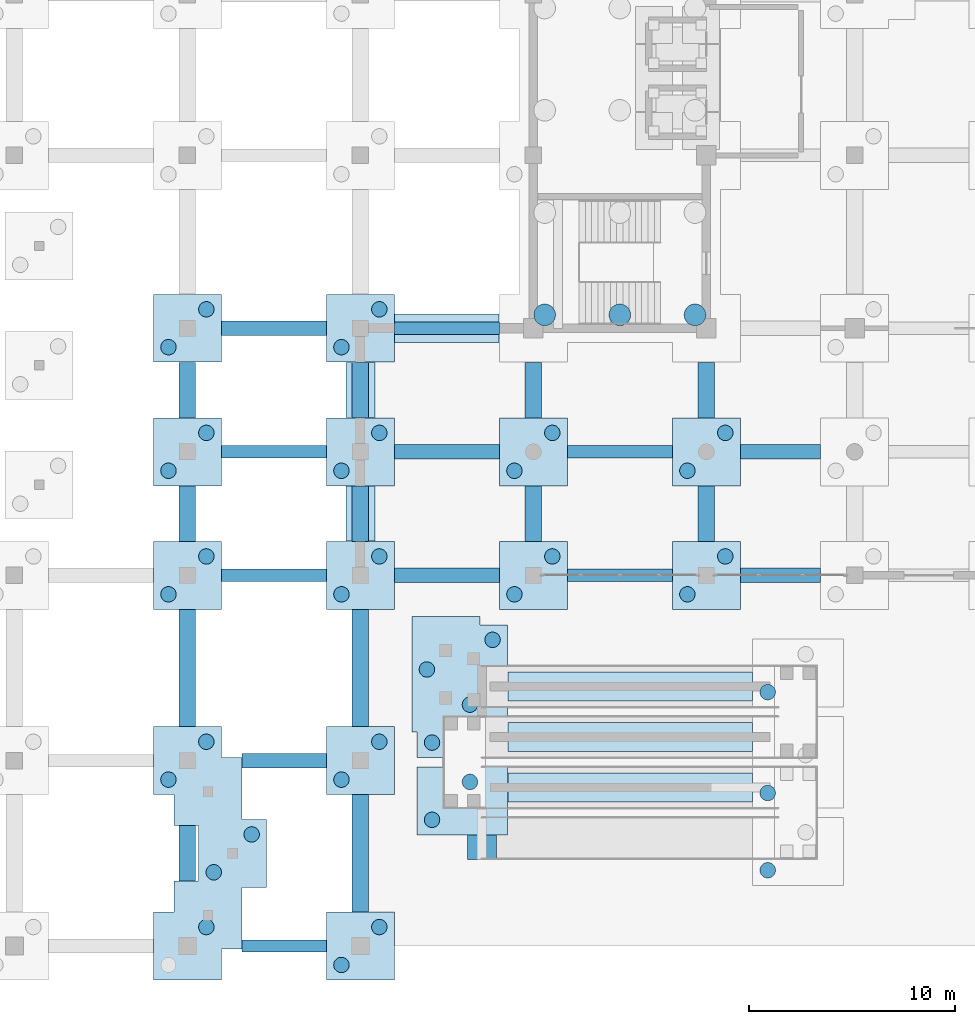
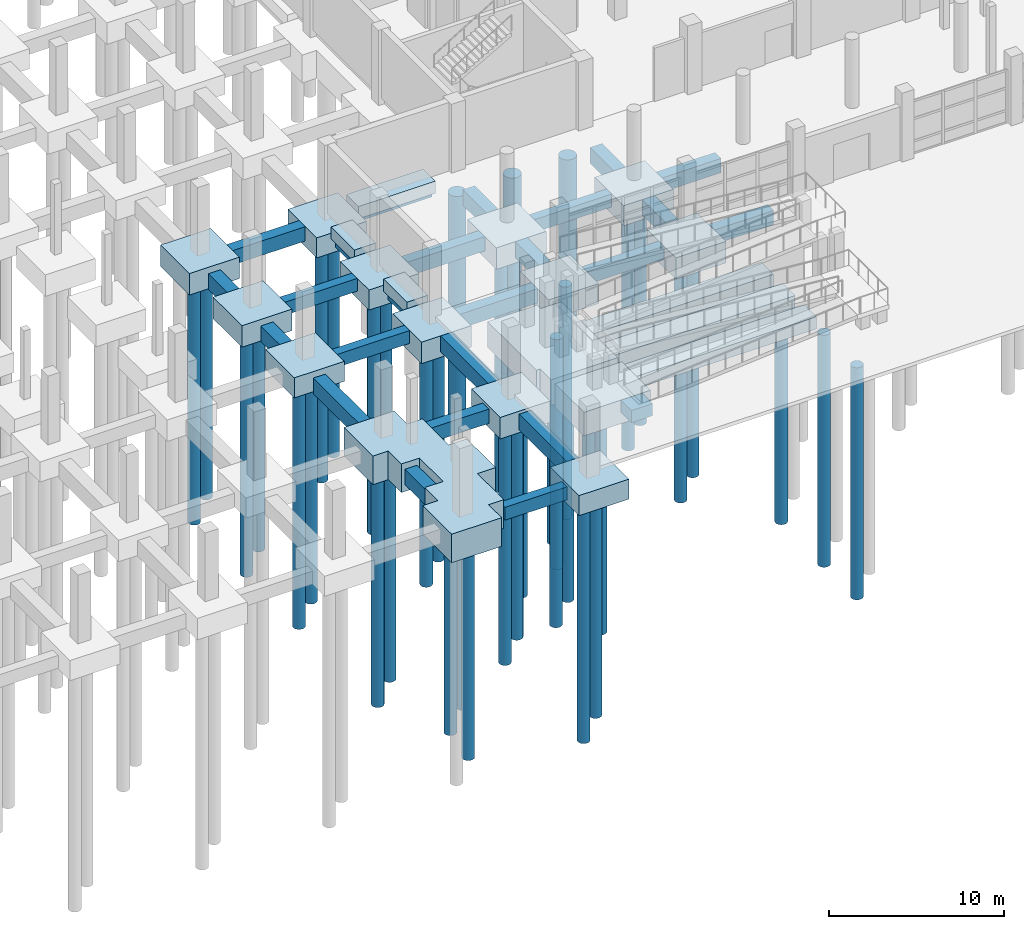
# One storey, part 2 of 42: 46 footings, 41 piles.
"""IFC4 building model written with IfcOpenShell, lengths in metres."""

from ifc_helpers import new_model, si_unit, direction, frame, origin, origin_2d, place, context, subcontext, project, spatial, polyline, rectangle, circle, outline, extrude, material, layer, layer_set, material_profile, profile_set, type_object, element, save


model = new_model("IFC4")

# Units and contexts
model_context = context("Model", 3, precision=1e-05, world=origin(), true_north=direction((0.0, 1.0)))
body_context = subcontext(model_context, "Body", "Model", "MODEL_VIEW")
ifc_project = project(units=[si_unit("LENGTHUNIT", "METRE"), si_unit("AREAUNIT", "SQUARE_METRE"), si_unit("VOLUMEUNIT", "CUBIC_METRE"), si_unit("PLANEANGLEUNIT", "RADIAN"), si_unit("MASSUNIT", "GRAM", prefix="KILO")], contexts=[model_context])

# Site, building, storey
site_placement = place(None, origin())
site = spatial("IfcSite", under=ifc_project, at=site_placement, CompositionType="ELEMENT")
building_placement = place(site_placement, origin())
building = spatial("IfcBuilding", under=site, at=building_placement, Name="Pellamere Symphony Hall", CompositionType="ELEMENT")
storey_placement = place(building_placement, frame((0.0, 0.0, -4.800048828125)))
storey = spatial("IfcBuildingStorey", under=building, at=storey_placement, Name="B1", CompositionType="ELEMENT", Elevation=-4.800048828125)

# Piles
ifc_material_1 = material(Name="Concrete 40 MPa", Category="concrete")
ifc_material_profile_1 = material_profile(ifc_material_1, circle(Radius=0.52490234375, at=origin_2d()), Name="PILE D1050")
ifc_profile_set_1 = profile_set([ifc_material_profile_1], Name="Concrete 40 MPa")
pile_type_1 = type_object("IfcPileType", Name="Bored Pile 1050mm Concrete 40 MPa", PredefinedType="BORED", material=ifc_profile_set_1)
for number, where, z_axis, x_axis, name in (
    (1, (50.949951171875, 30.64990234375, -2.300048828125), (0.0, 0.0, -1.0), (1.0, 0.0, 0.0), "Bored Pile BP-1050-P159"),
    (2, (54.60009765625, 30.64990234375, -2.300048828125), (0.0, 0.0, -1.0), (1.0, 0.0, 0.0), "Bored Pile BP-1050-P163"),
    (3, (58.25, 30.64990234375, -2.300048828125), (0.0, 0.0, -1.0), (1.0, 0.0, 0.0), "Bored Pile BP-1050-P167"),
):
    element("IfcPile", number, at=place(storey_placement, frame(where, z_axis=z_axis, x_axis=x_axis)), inside=storey, type_object=pile_type_1, Name=name, PredefinedType="BORED", context=body_context, shape_type="SweptSolid", body=[
        extrude(circle(Radius=0.52490234375, at=origin_2d()), origin(), (0.0, 0.0, 1.0), 15.699951171875),
    ])
ifc_material_2 = material(Name="Concrete 35 MPa", Category="concrete")
ifc_material_profile_2 = material_profile(ifc_material_2, circle(Radius=0.375, at=origin_2d()), Name="PILE D750")
ifc_profile_set_2 = profile_set([ifc_material_profile_2], Name="Concrete 35 MPa")
pile_type_2 = type_object("IfcPileType", Name="Bored Pile 750mm Concrete 35 MPa", PredefinedType="BORED", material=ifc_profile_set_2)
for number, where, z_axis, x_axis, name in (
    (4, (34.52001953125, 0.919921875, -1.89990234375), (0.0, 0.0, -1.0), (1.0, 0.0, 0.0), "Bored Pile BP-750-P010"),
    (5, (32.679931640625, 8.080078125, -1.89990234375), (0.0, 0.0, -1.0), (1.0, 0.0, 0.0), "Bored Pile BP-750-P011"),
    (6, (34.52001953125, 9.919921875, -1.89990234375), (0.0, 0.0, -1.0), (1.0, 0.0, 0.0), "Bored Pile BP-750-P012"),
    (7, (34.8798828125, 3.580078125, -1.89990234375), (0.0, 0.0, -1.0), (1.0, 0.0, 0.0), "Bored Pile BP-750-P013"),
    (8, (36.719970703125, 5.419921875, -1.89990234375), (0.0, 0.0, -1.0), (1.0, 0.0, 0.0), "Bored Pile BP-750-P014"),
):
    element("IfcPile", number, at=place(storey_placement, frame(where, z_axis=z_axis, x_axis=x_axis)), inside=storey, type_object=pile_type_2, Name=name, PredefinedType="BORED", context=body_context, shape_type="SweptSolid", body=[
        extrude(circle(Radius=0.375, at=origin_2d()), origin(), (0.0, 0.0, 1.0), 16.10009765625),
    ])
for number, where, z_axis, x_axis, name in (
    (9, (41.080078125, -0.919921875, -1.550048828125), (0.0, 0.0, -1.0), (1.0, 0.0, 0.0), "Bored Pile BP-750-P015"),
    (10, (42.919921875, 0.919921875, -1.550048828125), (0.0, 0.0, -1.0), (1.0, 0.0, 0.0), "Bored Pile BP-750-P016"),
):
    element("IfcPile", number, at=place(storey_placement, frame(where, z_axis=z_axis, x_axis=x_axis)), inside=storey, type_object=pile_type_2, Name=name, PredefinedType="BORED", context=body_context, shape_type="SweptSolid", body=[
        extrude(circle(Radius=0.375, at=origin_2d()), origin(), (0.0, 0.0, 1.0), 16.449951171875),
    ])
for number, where, z_axis, x_axis, name in (
    (11, (61.780029296875, 3.679931640625, -1.800048828125), (0.0, 0.0, -1.0), (1.0, 0.0, 0.0), "Bored Pile BP-750-P017"),
    (12, (45.47998046875, 6.1298828125, -1.800048828125), (0.0, 0.0, -1.0), (1.0, 0.0, 0.0), "Bored Pile BP-750-P021"),
    (13, (47.320068359375, 7.969970703125, -1.800048828125), (0.0, 0.0, -1.0), (1.0, 0.0, 0.0), "Bored Pile BP-750-P022"),
    (14, (61.780029296875, 7.429931640625, -1.800048828125), (0.0, 0.0, -1.0), (1.0, 0.0, 0.0), "Bored Pile BP-750-P025"),
):
    element("IfcPile", number, at=place(storey_placement, frame(where, z_axis=z_axis, x_axis=x_axis)), inside=storey, type_object=pile_type_2, Name=name, PredefinedType="BORED", context=body_context, shape_type="SweptSolid", body=[
        extrude(circle(Radius=0.375, at=origin_2d()), origin(), (0.0, 0.0, 1.0), 16.199951171875),
    ])
for number, where, z_axis, x_axis, name in (
    (15, (41.080078125, 8.080078125, -1.64990234375), (0.0, 0.0, -1.0), (1.0, 0.0, 0.0), "Bored Pile BP-750-P037"),
    (16, (42.919921875, 9.919921875, -1.64990234375), (0.0, 0.0, -1.0), (1.0, 0.0, 0.0), "Bored Pile BP-750-P038"),
):
    element("IfcPile", number, at=place(storey_placement, frame(where, z_axis=z_axis, x_axis=x_axis)), inside=storey, type_object=pile_type_2, Name=name, PredefinedType="BORED", context=body_context, shape_type="SweptSolid", body=[
        extrude(circle(Radius=0.375, at=origin_2d()), origin(), (0.0, 0.0, 1.0), 16.35009765625),
    ])
for number, where, z_axis, x_axis, name in (
    (17, (45.47998046875, 9.8798828125, -1.949951171875), (0.0, 0.0, -1.0), (1.0, 0.0, 0.0), "Bored Pile BP-750-P039"),
    (18, (47.320068359375, 11.719970703125, -1.949951171875), (0.0, 0.0, -1.0), (1.0, 0.0, 0.0), "Bored Pile BP-750-P040"),
    (19, (48.419921875, 14.8701171875, -1.949951171875), (0.0, 0.0, -1.0), (1.0, 0.0, 0.0), "Bored Pile BP-750-P041"),
    (20, (45.22998046875, 13.429931640625, -1.949951171875), (0.0, 0.0, -1.0), (1.0, 0.0, 0.0), "Bored Pile BP-750-P042"),
):
    element("IfcPile", number, at=place(storey_placement, frame(where, z_axis=z_axis, x_axis=x_axis)), inside=storey, type_object=pile_type_2, Name=name, PredefinedType="BORED", context=body_context, shape_type="SweptSolid", body=[
        extrude(circle(Radius=0.375, at=origin_2d()), origin(), (0.0, 0.0, 1.0), 16.050048828125),
    ])
pile_placement = place(storey_placement, frame((61.780029296875, 12.330078125, -1.800048828125), z_axis=(0.0, 0.0, -1.0), x_axis=(1.0, 0.0, 0.0)))
element("IfcPile", 21, at=pile_placement, inside=storey, type_object=pile_type_2, Name="Bored Pile BP-750-P047", PredefinedType="BORED", context=body_context, shape_type="SweptSolid", body=[
    extrude(circle(Radius=0.375, at=origin_2d()), origin(), (0.0, 0.0, 1.0), 16.199951171875),
])
for number, where, z_axis, x_axis, name in (
    (22, (32.679931640625, 17.080078125, -1.300048828125), (0.0, 0.0, -1.0), (1.0, 0.0, 0.0), "Bored Pile BP-750-P059"),
    (23, (34.52001953125, 18.919921875, -1.300048828125), (0.0, 0.0, -1.0), (1.0, 0.0, 0.0), "Bored Pile BP-750-P060"),
):
    element("IfcPile", number, at=place(storey_placement, frame(where, z_axis=z_axis, x_axis=x_axis)), inside=storey, type_object=pile_type_2, Name=name, PredefinedType="BORED", context=body_context, shape_type="SweptSolid", body=[
        extrude(circle(Radius=0.375, at=origin_2d()), origin(), (0.0, 0.0, 1.0), 16.699951171875),
    ])
for number, where, z_axis, x_axis, name in (
    (24, (41.080078125, 17.080078125, -1.849853515625), (0.0, 0.0, -1.0), (1.0, 0.0, 0.0), "Bored Pile BP-750-P061"),
    (25, (42.919921875, 18.919921875, -1.849853515625), (0.0, 0.0, -1.0), (1.0, 0.0, 0.0), "Bored Pile BP-750-P062"),
):
    element("IfcPile", number, at=place(storey_placement, frame(where, z_axis=z_axis, x_axis=x_axis)), inside=storey, type_object=pile_type_2, Name=name, PredefinedType="BORED", context=body_context, shape_type="SweptSolid", body=[
        extrude(circle(Radius=0.375, at=origin_2d()), origin(), (0.0, 0.0, 1.0), 16.14990234375),
    ])
for number, where, z_axis, x_axis, name in (
    (26, (49.47998046875, 17.080078125, -1.75), (0.0, 0.0, -1.0), (1.0, 0.0, 0.0), "Bored Pile BP-750-P063"),
    (27, (51.320068359375, 18.919921875, -1.75), (0.0, 0.0, -1.0), (1.0, 0.0, 0.0), "Bored Pile BP-750-P064"),
):
    element("IfcPile", number, at=place(storey_placement, frame(where, z_axis=z_axis, x_axis=x_axis)), inside=storey, type_object=pile_type_2, Name=name, PredefinedType="BORED", context=body_context, shape_type="SweptSolid", body=[
        extrude(circle(Radius=0.375, at=origin_2d()), origin(), (0.0, 0.0, 1.0), 16.25),
    ])
for number, where, z_axis, x_axis, name in (
    (28, (57.8798828125, 17.080078125, -1.849853515625), (0.0, 0.0, -1.0), (1.0, 0.0, 0.0), "Bored Pile BP-750-P065"),
    (29, (59.719970703125, 18.919921875, -1.849853515625), (0.0, 0.0, -1.0), (1.0, 0.0, 0.0), "Bored Pile BP-750-P066"),
):
    element("IfcPile", number, at=place(storey_placement, frame(where, z_axis=z_axis, x_axis=x_axis)), inside=storey, type_object=pile_type_2, Name=name, PredefinedType="BORED", context=body_context, shape_type="SweptSolid", body=[
        extrude(circle(Radius=0.375, at=origin_2d()), origin(), (0.0, 0.0, 1.0), 16.14990234375),
    ])
for number, where, z_axis, x_axis, name in (
    (30, (32.679931640625, 23.080078125, -1.39990234375), (0.0, 0.0, -1.0), (1.0, 0.0, 0.0), "Bored Pile BP-750-P111"),
    (31, (34.52001953125, 24.919921875, -1.39990234375), (0.0, 0.0, -1.0), (1.0, 0.0, 0.0), "Bored Pile BP-750-P112"),
):
    element("IfcPile", number, at=place(storey_placement, frame(where, z_axis=z_axis, x_axis=x_axis)), inside=storey, type_object=pile_type_2, Name=name, PredefinedType="BORED", context=body_context, shape_type="SweptSolid", body=[
        extrude(circle(Radius=0.375, at=origin_2d()), origin(), (0.0, 0.0, 1.0), 16.60009765625),
    ])
for number, where, z_axis, x_axis, name in (
    (32, (41.080078125, 23.080078125, -1.75), (0.0, 0.0, -1.0), (1.0, 0.0, 0.0), "Bored Pile BP-750-P113"),
    (33, (42.919921875, 24.919921875, -1.75), (0.0, 0.0, -1.0), (1.0, 0.0, 0.0), "Bored Pile BP-750-P114"),
):
    element("IfcPile", number, at=place(storey_placement, frame(where, z_axis=z_axis, x_axis=x_axis)), inside=storey, type_object=pile_type_2, Name=name, PredefinedType="BORED", context=body_context, shape_type="SweptSolid", body=[
        extrude(circle(Radius=0.375, at=origin_2d()), origin(), (0.0, 0.0, 1.0), 16.25),
    ])
for number, where, z_axis, x_axis, name in (
    (34, (49.47998046875, 23.080078125, -1.849853515625), (0.0, 0.0, -1.0), (1.0, 0.0, 0.0), "Bored Pile BP-750-P115"),
    (35, (51.320068359375, 24.919921875, -1.849853515625), (0.0, 0.0, -1.0), (1.0, 0.0, 0.0), "Bored Pile BP-750-P116"),
):
    element("IfcPile", number, at=place(storey_placement, frame(where, z_axis=z_axis, x_axis=x_axis)), inside=storey, type_object=pile_type_2, Name=name, PredefinedType="BORED", context=body_context, shape_type="SweptSolid", body=[
        extrude(circle(Radius=0.375, at=origin_2d()), origin(), (0.0, 0.0, 1.0), 16.14990234375),
    ])
for number, where, z_axis, x_axis, name in (
    (36, (57.8798828125, 23.080078125, -1.75), (0.0, 0.0, -1.0), (1.0, 0.0, 0.0), "Bored Pile BP-750-P117"),
    (37, (59.719970703125, 24.919921875, -1.75), (0.0, 0.0, -1.0), (1.0, 0.0, 0.0), "Bored Pile BP-750-P118"),
):
    element("IfcPile", number, at=place(storey_placement, frame(where, z_axis=z_axis, x_axis=x_axis)), inside=storey, type_object=pile_type_2, Name=name, PredefinedType="BORED", context=body_context, shape_type="SweptSolid", body=[
        extrude(circle(Radius=0.375, at=origin_2d()), origin(), (0.0, 0.0, 1.0), 16.25),
    ])
for number, where, z_axis, x_axis, name in (
    (38, (32.679931640625, 29.080078125, -1.39990234375), (0.0, 0.0, -1.0), (1.0, 0.0, 0.0), "Bored Pile BP-750-P155"),
    (39, (34.52001953125, 30.919921875, -1.39990234375), (0.0, 0.0, -1.0), (1.0, 0.0, 0.0), "Bored Pile BP-750-P156"),
):
    element("IfcPile", number, at=place(storey_placement, frame(where, z_axis=z_axis, x_axis=x_axis)), inside=storey, type_object=pile_type_2, Name=name, PredefinedType="BORED", context=body_context, shape_type="SweptSolid", body=[
        extrude(circle(Radius=0.375, at=origin_2d()), origin(), (0.0, 0.0, 1.0), 16.60009765625),
    ])
for number, where, z_axis, x_axis, name in (
    (40, (41.080078125, 29.080078125, -1.75), (0.0, 0.0, -1.0), (1.0, 0.0, 0.0), "Bored Pile BP-750-P157"),
    (41, (42.919921875, 30.919921875, -1.75), (0.0, 0.0, -1.0), (1.0, 0.0, 0.0), "Bored Pile BP-750-P158"),
):
    element("IfcPile", number, at=place(storey_placement, frame(where, z_axis=z_axis, x_axis=x_axis)), inside=storey, type_object=pile_type_2, Name=name, PredefinedType="BORED", context=body_context, shape_type="SweptSolid", body=[
        extrude(circle(Radius=0.375, at=origin_2d()), origin(), (0.0, 0.0, 1.0), 16.25),
    ])

# Footings
ifc_material_profile_3 = material_profile(ifc_material_1, rectangle(XDim=0.60009765625, YDim=0.89990234375, at=origin_2d()), Name="RC 600x900")
ifc_profile_set_3 = profile_set([ifc_material_profile_3], Name="Concrete 40 MPa")
footing_type_1 = type_object("IfcFootingType", Name="Foundation FB-01 600x900", PredefinedType="FOOTING_BEAM", material=ifc_profile_set_3)
footing_1_placement = place(storey_placement, frame((36.251953125, 0.0, -0.89990234375), z_axis=(1.0, 0.0, 0.0), x_axis=(0.0, 1.0, 0.0)))
element("IfcFooting", 42, at=footing_1_placement, inside=storey, type_object=footing_type_1, Name="Foundation Beam FB-01-060", PredefinedType="FOOTING_BEAM", context=body_context, shape_type="SweptSolid", body=[
    extrude(rectangle(XDim=0.60009765625, YDim=0.89990234375, at=origin_2d()), origin(), (0.0, 0.0, 1.0), 4.095947265625),
])
for number, where, z_axis, x_axis, name in (
    (43, (35.251953125, 18.0, -0.89990234375), (1.0, 0.0, 0.0), (0.0, 1.0, 0.0), "Foundation Beam FB-01-070"),
    (44, (52.052001953125, 18.0, -0.89990234375), (1.0, 0.0, 0.0), (0.0, 1.0, 0.0), "Foundation Beam FB-01-072"),
    (45, (35.251953125, 24.0, -0.89990234375), (1.0, 0.0, 0.0), (0.0, 1.0, 0.0), "Foundation Beam FB-01-088"),
    (46, (52.052001953125, 24.0, -0.89990234375), (1.0, 0.0, 0.0), (0.0, 1.0, 0.0), "Foundation Beam FB-01-090"),
    (47, (43.652099609375, 30.0, -0.89990234375), (1.0, 0.0, 0.0), (0.0, 1.0, 0.0), "Foundation Beam FB-01-106"),
):
    element("IfcFooting", number, at=place(storey_placement, frame(where, z_axis=z_axis, x_axis=x_axis)), inside=storey, type_object=footing_type_1, Name=name, PredefinedType="FOOTING_BEAM", context=body_context, shape_type="SweptSolid", body=[
        extrude(rectangle(XDim=0.60009765625, YDim=0.89990234375, at=origin_2d()), origin(), (0.0, 0.0, 1.0), 5.095947265625),
    ])
ifc_material_profile_4 = material_profile(ifc_material_1, rectangle(XDim=0.699951171875, YDim=1.0, at=origin_2d()), Name="RC 700x1000")
ifc_profile_set_4 = profile_set([ifc_material_profile_4], Name="Concrete 40 MPa")
footing_type_2 = type_object("IfcFootingType", Name="Foundation FB-02 700x1000", PredefinedType="FOOTING_BEAM", material=ifc_profile_set_4)
footing_2_placement = place(storey_placement, frame((36.251953125, 9.0, -0.949951171875), z_axis=(1.0, 0.0, 0.0), x_axis=(0.0, 1.0, 0.0)))
element("IfcFooting", 48, at=footing_2_placement, inside=storey, type_object=footing_type_2, Name="Foundation Beam FB-02-065", PredefinedType="FOOTING_BEAM", context=body_context, shape_type="SweptSolid", body=[
    extrude(rectangle(XDim=0.699951171875, YDim=1.0, at=origin_2d()), origin(), (0.0, 0.0, 1.0), 4.095947265625),
])
footing_3_placement = place(storey_placement, frame((43.652099609375, 18.0, -0.949951171875), z_axis=(1.0, 0.0, 0.0), x_axis=(0.0, 1.0, 0.0)))
element("IfcFooting", 49, at=footing_3_placement, inside=storey, type_object=footing_type_2, Name="Foundation Beam FB-02-071", PredefinedType="FOOTING_BEAM", context=body_context, shape_type="SweptSolid", body=[
    extrude(rectangle(XDim=0.699951171875, YDim=1.0, at=origin_2d()), origin(), (0.0, 0.0, 1.0), 5.095947265625),
])
footing_4_placement = place(storey_placement, frame((60.451904296875, 18.0, -0.949951171875), z_axis=(1.0, 0.0, 0.0), x_axis=(0.0, 1.0, 0.0)))
element("IfcFooting", 50, at=footing_4_placement, inside=storey, type_object=footing_type_2, Name="Foundation Beam FB-02-073", PredefinedType="FOOTING_BEAM", context=body_context, shape_type="SweptSolid", body=[
    extrude(rectangle(XDim=0.699951171875, YDim=1.0, at=origin_2d()), origin(), (0.0, 0.0, 1.0), 3.89599609375),
])
footing_5_placement = place(storey_placement, frame((43.652099609375, 24.0, -0.949951171875), z_axis=(1.0, 0.0, 0.0), x_axis=(0.0, 1.0, 0.0)))
element("IfcFooting", 51, at=footing_5_placement, inside=storey, type_object=footing_type_2, Name="Foundation Beam FB-02-089", PredefinedType="FOOTING_BEAM", context=body_context, shape_type="SweptSolid", body=[
    extrude(rectangle(XDim=0.699951171875, YDim=1.0, at=origin_2d()), origin(), (0.0, 0.0, 1.0), 5.095947265625),
])
footing_6_placement = place(storey_placement, frame((60.451904296875, 24.0, -0.949951171875), z_axis=(1.0, 0.0, 0.0), x_axis=(0.0, 1.0, 0.0)))
element("IfcFooting", 52, at=footing_6_placement, inside=storey, type_object=footing_type_2, Name="Foundation Beam FB-02-091", PredefinedType="FOOTING_BEAM", context=body_context, shape_type="SweptSolid", body=[
    extrude(rectangle(XDim=0.699951171875, YDim=1.0, at=origin_2d()), origin(), (0.0, 0.0, 1.0), 3.89599609375),
])
footing_7_placement = place(storey_placement, frame((35.251953125, 30.0, -0.949951171875), z_axis=(1.0, 0.0, 0.0), x_axis=(0.0, 1.0, 0.0)))
element("IfcFooting", 53, at=footing_7_placement, inside=storey, type_object=footing_type_2, Name="Foundation Beam FB-02-105", PredefinedType="FOOTING_BEAM", context=body_context, shape_type="SweptSolid", body=[
    extrude(rectangle(XDim=0.699951171875, YDim=1.0, at=origin_2d()), origin(), (0.0, 0.0, 1.0), 5.095947265625),
])
ifc_material_profile_5 = material_profile(ifc_material_1, rectangle(XDim=0.800048828125, YDim=1.10009765625, at=origin_2d()), Name="RC 800x1100")
ifc_profile_set_5 = profile_set([ifc_material_profile_5], Name="Concrete 40 MPa")
footing_type_3 = type_object("IfcFootingType", Name="Foundation FB-03 800x1100", PredefinedType="FOOTING_BEAM", material=ifc_profile_set_5)
footing_8_placement = place(storey_placement, frame((33.60009765625, 3.152099609375, -1.0), z_axis=(0.0, 1.0, 0.0), x_axis=(-1.0, 0.0, 0.0)))
element("IfcFooting", 54, at=footing_8_placement, inside=storey, type_object=footing_type_3, Name="Foundation Beam FB-03-252", PredefinedType="FOOTING_BEAM", context=body_context, shape_type="SweptSolid", body=[
    extrude(rectangle(XDim=0.800048828125, YDim=1.10009765625, at=origin_2d()), origin(), (0.0, 0.0, 1.0), 2.69580078125),
])
footing_9_placement = place(storey_placement, frame((33.60009765625, 10.652099609375, -1.0), z_axis=(0.0, 1.0, 0.0), x_axis=(-1.0, 0.0, 0.0)))
element("IfcFooting", 55, at=footing_9_placement, inside=storey, type_object=footing_type_3, Name="Foundation Beam FB-03-253", PredefinedType="FOOTING_BEAM", context=body_context, shape_type="SweptSolid", body=[
    extrude(rectangle(XDim=0.800048828125, YDim=1.10009765625, at=origin_2d()), origin(), (0.0, 0.0, 1.0), 5.69580078125),
])
for number, where, z_axis, x_axis, name in (
    (56, (33.60009765625, 19.652099609375, -1.0), (0.0, 1.0, 0.0), (-1.0, 0.0, 0.0), "Foundation Beam FB-03-254"),
    (57, (33.60009765625, 25.652099609375, -1.0), (0.0, 1.0, 0.0), (-1.0, 0.0, 0.0), "Foundation Beam FB-03-255"),
):
    element("IfcFooting", number, at=place(storey_placement, frame(where, z_axis=z_axis, x_axis=x_axis)), inside=storey, type_object=footing_type_3, Name=name, PredefinedType="FOOTING_BEAM", context=body_context, shape_type="SweptSolid", body=[
        extrude(rectangle(XDim=0.800048828125, YDim=1.10009765625, at=origin_2d()), origin(), (0.0, 0.0, 1.0), 2.69580078125),
    ])
for number, where, z_axis, x_axis, name in (
    (58, (42.0, 1.652099609375, -1.0), (0.0, 1.0, 0.0), (-1.0, 0.0, 0.0), "Foundation Beam FB-03-259"),
    (59, (42.0, 10.652099609375, -1.0), (0.0, 1.0, 0.0), (-1.0, 0.0, 0.0), "Foundation Beam FB-03-260"),
):
    element("IfcFooting", number, at=place(storey_placement, frame(where, z_axis=z_axis, x_axis=x_axis)), inside=storey, type_object=footing_type_3, Name=name, PredefinedType="FOOTING_BEAM", context=body_context, shape_type="SweptSolid", body=[
        extrude(rectangle(XDim=0.800048828125, YDim=1.10009765625, at=origin_2d()), origin(), (0.0, 0.0, 1.0), 5.69580078125),
    ])
for number, where, z_axis, x_axis, name in (
    (60, (42.0, 19.652099609375, -1.0), (0.0, 1.0, 0.0), (-1.0, 0.0, 0.0), "Foundation Beam FB-03-261"),
    (61, (42.0, 25.652099609375, -1.0), (0.0, 1.0, 0.0), (-1.0, 0.0, 0.0), "Foundation Beam FB-03-262"),
    (62, (50.39990234375, 19.652099609375, -1.0), (0.0, 1.0, 0.0), (-1.0, 0.0, 0.0), "Foundation Beam FB-03-266"),
    (63, (50.39990234375, 25.652099609375, -1.0), (0.0, 1.0, 0.0), (-1.0, 0.0, 0.0), "Foundation Beam FB-03-267"),
    (64, (58.800048828125, 19.652099609375, -1.0), (0.0, 1.0, 0.0), (-1.0, 0.0, 0.0), "Foundation Beam FB-03-274"),
    (65, (58.800048828125, 25.652099609375, -1.0), (0.0, 1.0, 0.0), (-1.0, 0.0, 0.0), "Foundation Beam FB-03-275"),
):
    element("IfcFooting", number, at=place(storey_placement, frame(where, z_axis=z_axis, x_axis=x_axis)), inside=storey, type_object=footing_type_3, Name=name, PredefinedType="FOOTING_BEAM", context=body_context, shape_type="SweptSolid", body=[
        extrude(rectangle(XDim=0.800048828125, YDim=1.10009765625, at=origin_2d()), origin(), (0.0, 0.0, 1.0), 2.69580078125),
    ])
ifc_material_profile_6 = material_profile(ifc_material_1, rectangle(XDim=1.39990234375, YDim=0.85009765625, at=origin_2d()), Name="RC 1400x850")
ifc_profile_set_6 = profile_set([ifc_material_profile_6], Name="Concrete 40 MPa")
footing_type_4 = type_object("IfcFootingType", Name="Foundation SF-02 1400x850", PredefinedType="STRIP_FOOTING", material=ifc_profile_set_6)
for number, where, z_axis, x_axis, name in (
    (66, (42.0, 19.6650390625, -0.425048828125), (0.0, 1.0, 0.0), (-1.0, 0.0, 0.0), "Foundation Beam SF-02-001"),
    (67, (42.0, 25.6650390625, -0.425048828125), (0.0, 1.0, 0.0), (-1.0, 0.0, 0.0), "Foundation Beam SF-02-002"),
):
    element("IfcFooting", number, at=place(storey_placement, frame(where, z_axis=z_axis, x_axis=x_axis)), inside=storey, type_object=footing_type_4, Name=name, PredefinedType="STRIP_FOOTING", context=body_context, shape_type="SweptSolid", body=[
        extrude(rectangle(XDim=1.39990234375, YDim=0.85009765625, at=origin_2d()), origin(), (0.0, 0.0, 1.0), 2.669921875),
    ])
footing_10_placement = place(storey_placement, frame((43.6650390625, 30.0, -0.425048828125), z_axis=(1.0, 0.0, 0.0), x_axis=(0.0, 1.0, 0.0)))
element("IfcFooting", 68, at=footing_10_placement, inside=storey, type_object=footing_type_4, Name="Foundation Beam SF-02-003", PredefinedType="STRIP_FOOTING", context=body_context, shape_type="SweptSolid", body=[
    extrude(rectangle(XDim=1.39990234375, YDim=0.85009765625, at=origin_2d()), origin(), (0.0, 0.0, 1.0), 5.070068359375),
])
footing_11_placement = place(storey_placement, frame((47.89990234375, 4.199951171875, -0.675048828125), z_axis=(0.0, 1.0, 0.0), x_axis=(-1.0, 0.0, 0.0)))
element("IfcFooting", 69, at=footing_11_placement, inside=storey, type_object=footing_type_4, Name="Foundation Beam SF-02-042", PredefinedType="STRIP_FOOTING", context=body_context, shape_type="SweptSolid", body=[
    extrude(rectangle(XDim=1.39990234375, YDim=0.85009765625, at=origin_2d()), origin(), (0.0, 0.0, 1.0), 1.18505859375),
])
for number, where, z_axis, x_axis, name in (
    (70, (49.1650390625, 7.699951171875, -0.675048828125), (1.0, 0.0, 0.0), (0.0, 1.0, 0.0), "Foundation Beam SF-02-043"),
    (71, (49.1650390625, 10.14990234375, -0.675048828125), (1.0, 0.0, 0.0), (0.0, 1.0, 0.0), "Foundation Beam SF-02-044"),
    (72, (49.1650390625, 12.60009765625, -0.675048828125), (1.0, 0.0, 0.0), (0.0, 1.0, 0.0), "Foundation Beam SF-02-045"),
):
    element("IfcFooting", number, at=place(storey_placement, frame(where, z_axis=z_axis, x_axis=x_axis)), inside=storey, type_object=footing_type_4, Name=name, PredefinedType="STRIP_FOOTING", context=body_context, shape_type="SweptSolid", body=[
        extrude(rectangle(XDim=1.39990234375, YDim=0.85009765625, at=origin_2d()), origin(), (0.0, 0.0, 1.0), 11.869873046875),
    ])
ifc_layer_1 = layer(ifc_material_1, 1.39990234375, Name="Concrete 40 MPa")
ifc_layer_set_1 = layer_set([ifc_layer_1], Name="Concrete 40 MPa")
footing_type_5 = type_object("IfcFootingType", Name="Pile Cap PC-02 3300x3300x1400", PredefinedType="PILE_CAP", material=ifc_layer_set_1)
footing_12_placement = place(storey_placement, frame((0.0, 0.0, -1.64990234375)))
element("IfcFooting", 73, at=footing_12_placement, inside=storey, type_object=footing_type_5, Name="Pile Cap PC-02-006", PredefinedType="PILE_CAP", context=body_context, shape_type="SweptSolid", body=[
    extrude(outline(polyline([(40.35009765625, -1.64990234375), (40.35009765625, 1.64990234375), (43.64990234375, 1.64990234375), (43.64990234375, -1.64990234375), (40.35009765625, -1.64990234375)])), origin(), (0.0, 0.0, 1.0), 1.39990234375),
])
footing_13_placement = place(storey_placement, frame((0.0, 0.0, -1.39990234375)))
element("IfcFooting", 74, at=footing_13_placement, inside=storey, type_object=footing_type_5, Name="Pile Cap PC-02-026", PredefinedType="PILE_CAP", context=body_context, shape_type="SweptSolid", body=[
    extrude(outline(polyline([(31.949951171875, 16.35009765625), (31.949951171875, 19.64990234375), (35.25, 19.64990234375), (35.25, 16.35009765625), (31.949951171875, 16.35009765625)])), origin(), (0.0, 0.0, 1.0), 1.39990234375),
])
footing_14_placement = place(storey_placement, frame((0.0, 0.0, -1.849853515625)))
element("IfcFooting", 75, at=footing_14_placement, inside=storey, type_object=footing_type_5, Name="Pile Cap PC-02-028", PredefinedType="PILE_CAP", context=body_context, shape_type="SweptSolid", body=[
    extrude(outline(polyline([(52.050048828125, 16.35009765625), (48.75, 16.35009765625), (48.75, 19.64990234375), (52.050048828125, 19.64990234375), (52.050048828125, 16.35009765625)])), origin(), (0.0, 0.0, 1.0), 1.39990234375),
])
footing_15_placement = place(storey_placement, frame((0.0, 0.0, -1.849853515625)))
element("IfcFooting", 76, at=footing_15_placement, inside=storey, type_object=footing_type_5, Name="Pile Cap PC-02-050", PredefinedType="PILE_CAP", context=body_context, shape_type="SweptSolid", body=[
    extrude(outline(polyline([(43.64990234375, 22.35009765625), (40.35009765625, 22.35009765625), (40.35009765625, 25.64990234375), (43.64990234375, 25.64990234375), (43.64990234375, 22.35009765625)])), origin(), (0.0, 0.0, 1.0), 1.39990234375),
])
footing_16_placement = place(storey_placement, frame((0.0, 0.0, -1.849853515625)))
element("IfcFooting", 77, at=footing_16_placement, inside=storey, type_object=footing_type_5, Name="Pile Cap PC-02-052", PredefinedType="PILE_CAP", context=body_context, shape_type="SweptSolid", body=[
    extrude(outline(polyline([(60.449951171875, 22.35009765625), (57.14990234375, 22.35009765625), (57.14990234375, 25.64990234375), (60.449951171875, 25.64990234375), (60.449951171875, 22.35009765625)])), origin(), (0.0, 0.0, 1.0), 1.39990234375),
])
footing_17_placement = place(storey_placement, frame((0.0, 0.0, -1.849853515625)))
element("IfcFooting", 78, at=footing_17_placement, inside=storey, type_object=footing_type_5, Name="Pile Cap PC-02-070", PredefinedType="PILE_CAP", context=body_context, shape_type="SweptSolid", body=[
    extrude(outline(polyline([(40.35009765625, 28.35009765625), (40.35009765625, 31.64990234375), (43.64990234375, 31.64990234375), (43.64990234375, 28.35009765625), (40.35009765625, 28.35009765625)])), origin(), (0.0, 0.0, 1.0), 1.39990234375),
])
ifc_layer_2 = layer(ifc_material_1, 1.5, Name="Concrete 40 MPa")
ifc_layer_set_2 = layer_set([ifc_layer_2], Name="Concrete 40 MPa")
footing_type_6 = type_object("IfcFootingType", Name="Pile Cap PC-03 3300x3300x1500", PredefinedType="PILE_CAP", material=ifc_layer_set_2)
footing_18_placement = place(storey_placement, frame((0.0, 0.0, -1.75)))
element("IfcFooting", 79, at=footing_18_placement, inside=storey, type_object=footing_type_6, Name="Pile Cap PC-03-017", PredefinedType="PILE_CAP", context=body_context, shape_type="SweptSolid", body=[
    extrude(outline(polyline([(40.35009765625, 7.35009765625), (40.35009765625, 10.64990234375), (43.64990234375, 10.64990234375), (43.64990234375, 7.35009765625), (40.35009765625, 7.35009765625)])), origin(), (0.0, 0.0, 1.0), 1.5),
])
footing_19_placement = place(storey_placement, frame((0.0, 0.0, -1.949951171875)))
element("IfcFooting", 80, at=footing_19_placement, inside=storey, type_object=footing_type_6, Name="Pile Cap PC-03-027", PredefinedType="PILE_CAP", context=body_context, shape_type="SweptSolid", body=[
    extrude(outline(polyline([(40.35009765625, 16.35009765625), (40.35009765625, 19.64990234375), (43.64990234375, 19.64990234375), (43.64990234375, 16.35009765625), (40.35009765625, 16.35009765625)])), origin(), (0.0, 0.0, 1.0), 1.5),
])
footing_20_placement = place(storey_placement, frame((0.0, 0.0, -1.949951171875)))
element("IfcFooting", 81, at=footing_20_placement, inside=storey, type_object=footing_type_6, Name="Pile Cap PC-03-029", PredefinedType="PILE_CAP", context=body_context, shape_type="SweptSolid", body=[
    extrude(outline(polyline([(57.14990234375, 16.35009765625), (57.14990234375, 19.64990234375), (60.449951171875, 19.64990234375), (60.449951171875, 16.35009765625), (57.14990234375, 16.35009765625)])), origin(), (0.0, 0.0, 1.0), 1.5),
])
footing_21_placement = place(storey_placement, frame((0.0, 0.0, -1.5)))
element("IfcFooting", 82, at=footing_21_placement, inside=storey, type_object=footing_type_6, Name="Pile Cap PC-03-049", PredefinedType="PILE_CAP", context=body_context, shape_type="SweptSolid", body=[
    extrude(outline(polyline([(35.25, 22.35009765625), (31.949951171875, 22.35009765625), (31.949951171875, 25.64990234375), (35.25, 25.64990234375), (35.25, 22.35009765625)])), origin(), (0.0, 0.0, 1.0), 1.5),
])
footing_22_placement = place(storey_placement, frame((0.0, 0.0, -1.949951171875)))
element("IfcFooting", 83, at=footing_22_placement, inside=storey, type_object=footing_type_6, Name="Pile Cap PC-03-051", PredefinedType="PILE_CAP", context=body_context, shape_type="SweptSolid", body=[
    extrude(outline(polyline([(48.75, 22.35009765625), (48.75, 25.64990234375), (52.050048828125, 25.64990234375), (52.050048828125, 22.35009765625), (48.75, 22.35009765625)])), origin(), (0.0, 0.0, 1.0), 1.5),
])
footing_23_placement = place(storey_placement, frame((0.0, 0.0, -1.5)))
element("IfcFooting", 84, at=footing_23_placement, inside=storey, type_object=footing_type_6, Name="Pile Cap PC-03-069", PredefinedType="PILE_CAP", context=body_context, shape_type="SweptSolid", body=[
    extrude(outline(polyline([(31.949951171875, 28.35009765625), (31.949951171875, 31.64990234375), (35.25, 31.64990234375), (35.25, 28.35009765625), (31.949951171875, 28.35009765625)])), origin(), (0.0, 0.0, 1.0), 1.5),
])
ifc_layer_3 = layer(ifc_material_1, 1.64990234375, Name="Concrete 40 MPa")
ifc_layer_set_3 = layer_set([ifc_layer_3], Name="Concrete 40 MPa")
footing_type_7 = type_object("IfcFootingType", Name="Pile Cap PC-05 4400x3300x1650", PredefinedType="PILE_CAP", material=ifc_layer_set_3)
footing_24_placement = place(storey_placement, frame((0.0, 0.0, -1.89990234375)))
element("IfcFooting", 85, at=footing_24_placement, inside=storey, type_object=footing_type_7, Name="Pile Cap PC-05-009", PredefinedType="PILE_CAP", context=body_context, shape_type="SweptSolid", body=[
    extrude(outline(polyline([(49.14990234375, 8.699951171875), (49.14990234375, 5.39990234375), (44.75, 5.39990234375), (44.75, 8.699951171875), (49.14990234375, 8.699951171875)])), origin(), (0.0, 0.0, 1.0), 1.64990234375),
])
ifc_layer_4 = layer(ifc_material_1, 1.800048828125, Name="Concrete 40 MPa")
ifc_layer_set_4 = layer_set([ifc_layer_4], Name="Concrete 40 MPa")
footing_type_8 = type_object("IfcFootingType", Name="Pile Cap PC-07 4850x6850x1800", PredefinedType="PILE_CAP", material=ifc_layer_set_4)
footing_25_placement = place(storey_placement, frame((0.0, 0.0, -2.050048828125)))
element("IfcFooting", 86, at=footing_25_placement, inside=storey, type_object=footing_type_8, Name="Pile Cap PC-07-018", PredefinedType="PILE_CAP", context=body_context, shape_type="SweptSolid", body=[
    extrude(outline(polyline([(44.5, 16.0), (47.800048828125, 16.0), (47.800048828125, 15.60009765625), (49.14990234375, 15.60009765625), (49.14990234375, 9.14990234375), (44.75, 9.14990234375), (44.75, 10.39990234375), (44.5, 10.39990234375), (44.5, 16.0)])), origin(), (0.0, 0.0, 1.0), 1.800048828125),
])
ifc_material_3 = material(Name="Concrete 50 MPa", Category="concrete")
ifc_layer_5 = layer(ifc_material_3, 2.0, Name="Concrete 50 MPa")
ifc_layer_set_5 = layer_set([ifc_layer_5], Name="Concrete 50 MPa")
footing_type_9 = type_object("IfcFootingType", Name="Pile Cap PC-10 5500x12300x2000", PredefinedType="PILE_CAP", material=ifc_layer_set_5)
footing_26_placement = place(storey_placement, frame((0.0, 0.0, -2.0)))
element("IfcFooting", 87, at=footing_26_placement, inside=storey, type_object=footing_type_9, Name="Pile Cap PC-10-005", PredefinedType="PILE_CAP", context=body_context, shape_type="SweptSolid", body=[
    extrude(outline(polyline([(32.949951171875, 3.14990234375), (34.14990234375, 3.14990234375), (34.14990234375, 5.85009765625), (32.949951171875, 5.85009765625), (32.949951171875, 7.35009765625), (31.949951171875, 7.35009765625), (31.949951171875, 10.64990234375), (35.25, 10.64990234375), (35.25, 9.14990234375), (36.25, 9.14990234375), (36.25, 6.14990234375), (37.449951171875, 6.14990234375), (37.449951171875, 2.85009765625), (36.25, 2.85009765625), (36.25, -0.14990234375), (35.25, -0.14990234375), (35.25, -1.64990234375), (31.949951171875, -1.64990234375), (31.949951171875, 1.64990234375), (32.949951171875, 1.64990234375), (32.949951171875, 3.14990234375)])), origin(), (0.0, 0.0, 1.0), 2.0),
])

save(model, "model.ifc")
